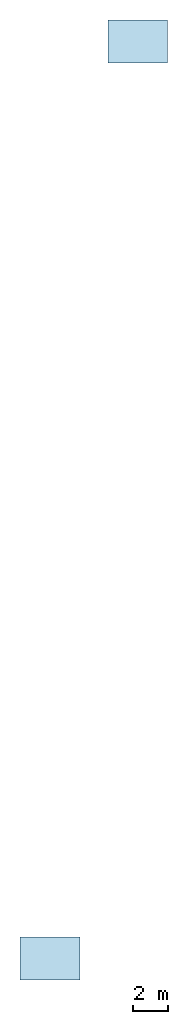
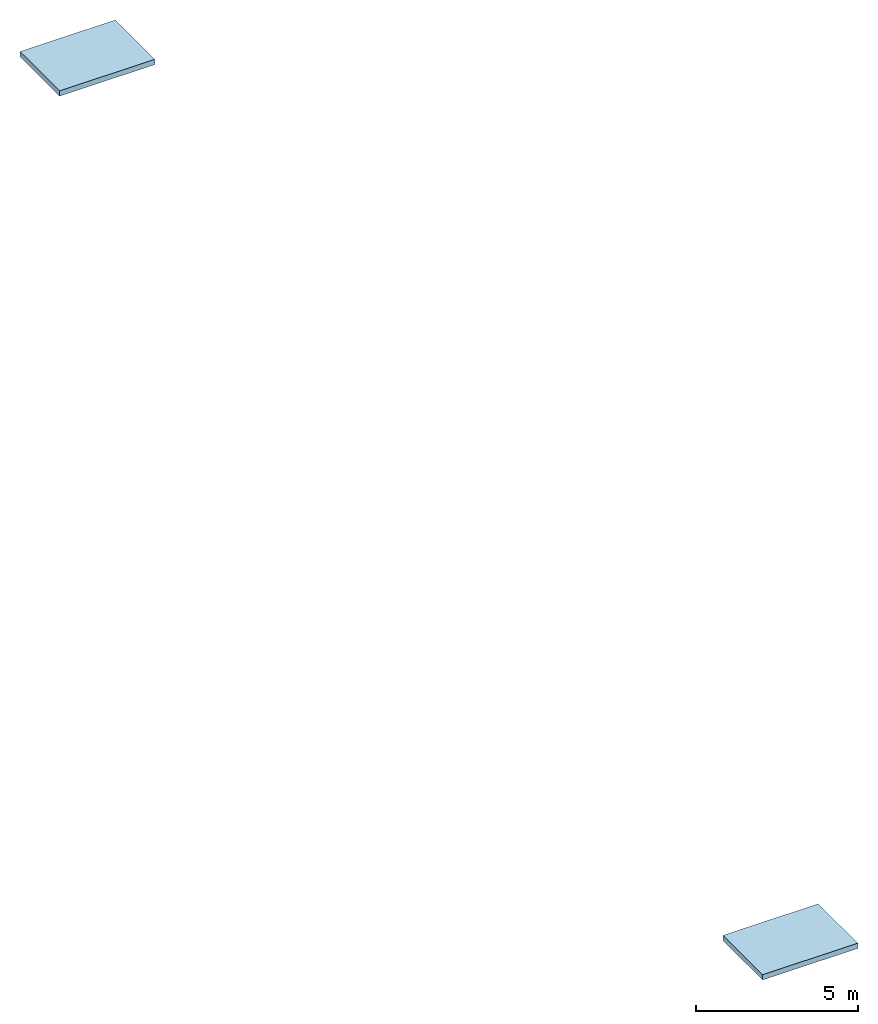
# One storey: 2 slabs.
"""IFC4 building model written with IfcOpenShell, lengths in metres."""

from ifc_helpers import new_model, si_unit, direction, frame, origin, place, context, subcontext, project, spatial, polyline, outline, extrude, material, layer, layer_set, type_object, element, save


model = new_model("IFC4")

# Units and contexts
model_context = context("Model", 3, precision=1e-05, world=origin(), true_north=direction((0.0, 1.0)))
body_context = subcontext(model_context, "Body", "Model", "MODEL_VIEW")
ifc_project = project(units=[si_unit("LENGTHUNIT", "METRE"), si_unit("AREAUNIT", "SQUARE_METRE"), si_unit("VOLUMEUNIT", "CUBIC_METRE"), si_unit("PLANEANGLEUNIT", "RADIAN"), si_unit("MASSUNIT", "GRAM", prefix="KILO")], contexts=[model_context])

# Site, building, storey
site_placement = place(None, origin())
site = spatial("IfcSite", under=ifc_project, at=site_placement, CompositionType="ELEMENT")
building_placement = place(site_placement, origin())
building = spatial("IfcBuilding", under=site, at=building_placement, Name="Zarbagh Exchange Tower", CompositionType="ELEMENT")
storey_placement = place(building_placement, frame((0.0, 0.0, 325.0)))
storey = spatial("IfcBuildingStorey", under=building, at=storey_placement, Name="Main roof", CompositionType="ELEMENT", Elevation=325.0)

# Slabs
ifc_material = material(Name="Concrete C40/50", Category="concrete")
ifc_layer = layer(ifc_material, 0.199951171875)
ifc_layer_set = layer_set([ifc_layer], Name="Lift overrun roof slab 200 mm")
slab_type = type_object("IfcSlabType", Name="Lift overrun roof slab 200 mm", PredefinedType="ROOF", material=ifc_layer_set)
slab_1_placement = place(storey_placement, origin())
element("IfcSlab", 1, at=slab_1_placement, inside=storey, type_object=slab_type, Name="North core lift overrun roof", PredefinedType="ROOF", context=body_context, shape_type="SweptSolid", body=[
    extrude(outline(polyline([(0.800048828125, 24.85009765625), (4.199951171875, 24.85009765625), (4.199951171875, 27.300048828125), (0.800048828125, 27.300048828125), (0.800048828125, 24.85009765625)])), origin(), (0.0, 0.0, 1.0), 0.199951171875),
])
slab_2_placement = place(storey_placement, origin())
element("IfcSlab", 2, at=slab_2_placement, inside=storey, type_object=slab_type, Name="South core lift overrun roof", PredefinedType="ROOF", context=body_context, shape_type="SweptSolid", body=[
    extrude(outline(polyline([(-4.199951171875, -27.300048828125), (-0.800048828125, -27.300048828125), (-0.800048828125, -24.85009765625), (-4.199951171875, -24.85009765625), (-4.199951171875, -27.300048828125)])), origin(), (0.0, 0.0, 1.0), 0.199951171875),
])

save(model, "model.ifc")
